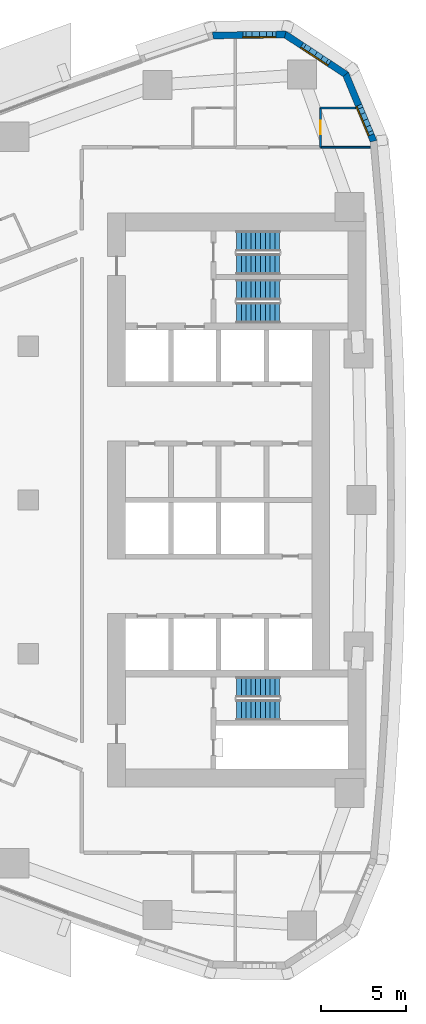
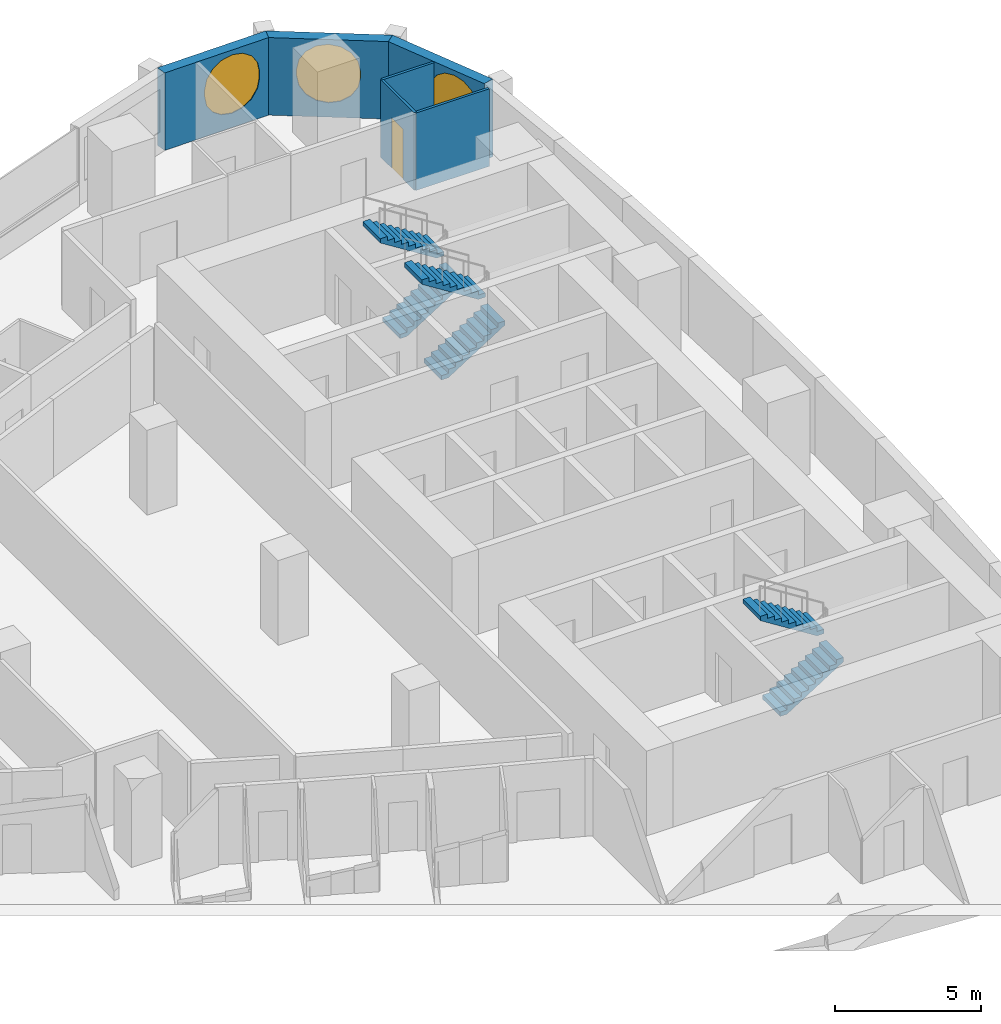
# One storey, part 13 of 17: 6 stair flights, 6 walls, 3 windows, 1 door, 4 openings, 3 elements without a shape of their own.
"""IFC4 building model written with IfcOpenShell, lengths in metres."""

from ifc_helpers import new_model, si_unit, direction, frame, frame_2d, origin, place, context, subcontext, project, spatial, polyline, rectangle, outline, extrude, material, layer, layer_set, type_object, element, fill, aggregate, save


model = new_model("IFC4")

# Units and contexts
model_context = context("Model", 3, precision=1e-05, world=origin(), true_north=direction((0.0, 1.0)))
body_context = subcontext(model_context, "Body", "Model", "MODEL_VIEW")
ifc_project = project(units=[si_unit("LENGTHUNIT", "METRE"), si_unit("AREAUNIT", "SQUARE_METRE"), si_unit("VOLUMEUNIT", "CUBIC_METRE"), si_unit("PLANEANGLEUNIT", "RADIAN"), si_unit("MASSUNIT", "GRAM", prefix="KILO")], contexts=[model_context])

# Site, building, storey
site_placement = place(None, origin())
site = spatial("IfcSite", under=ifc_project, at=site_placement, CompositionType="ELEMENT")
building_placement = place(site_placement, origin())
building = spatial("IfcBuilding", under=site, at=building_placement, Name="Ostrand Prow Hotel Tower", CompositionType="ELEMENT")
storey_placement = place(building_placement, frame((0.0, 0.0, 84.89990234375)))
storey = spatial("IfcBuildingStorey", under=building, at=storey_placement, Name="L19", CompositionType="ELEMENT", Elevation=84.89990234375)

# Wall, opening, door
ifc_material_1 = material(Name="Plasterboard partition")
ifc_layer_1 = layer(ifc_material_1, 0.10009765625)
ifc_layer_set_1 = layer_set([ifc_layer_1], Name="Plasterboard partition")
wall_type_1 = type_object("IfcWallType", Name="Partition 100 bathroom wall", PredefinedType="PARTITIONING", material=ifc_layer_set_1)
wall_1_placement = place(storey_placement, frame((62.111083984375, 20.64990234375, 0.0), z_axis=(0.0, 0.0, 1.0), x_axis=(0.0, 1.0, 0.0)))
wall_1 = element("IfcWall", 1, at=wall_1_placement, inside=storey, type_object=wall_type_1, Name="BATHROOM WALL", PredefinedType="PARTITIONING", context=body_context, shape_type="SweptSolid", body=[
    extrude(rectangle(XDim=2.300048828125, YDim=0.10009765625, at=frame_2d((1.14990234375, 0.0))), origin(), (0.0, 0.0, 1.0), 3.25),
])
opening_1_placement = place(wall_1_placement, frame((0.75, 0.0, 0.0)))
opening_1 = element("IfcOpeningElement", 2, at=opening_1_placement, cuts=wall_1, Name="Opening D2", PredefinedType="OPENING", context=body_context, shape_type="SweptSolid", body=[
    extrude(rectangle(XDim=0.800048828125, YDim=2.10009765625, at=frame_2d((0.39990234375, 1.050048828125))), frame((0.0, 0.06005859375, 0.0), z_axis=(0.0, -1.0, 0.0), x_axis=(1.0, 0.0, 0.0)), (0.0, 0.0, 1.0), 0.1201171875),
])
ifc_material_2 = material(Name="Timber door leaf", Category="wood")
door_type = type_object("IfcDoorType", Name="Bathroom door 800", OperationType="SINGLE_SWING_LEFT", PredefinedType="DOOR", material=ifc_material_2)
door_placement = place(opening_1_placement, origin())
door = element("IfcDoor", 3, at=door_placement, inside=storey, type_object=door_type, Name="DOOR", OperationType="SINGLE_SWING_LEFT", OverallHeight=2.10009765625, OverallWidth=0.800048828125, PredefinedType="DOOR", context=body_context, shape_type="SweptSolid", body=[
    extrude(rectangle(XDim=0.800048828125, YDim=2.10009765625, at=frame_2d((0.39990234375, 1.050048828125))), frame((0.0, 0.02490234375, 0.0), z_axis=(0.0, -1.0, 0.0), x_axis=(1.0, 0.0, 0.0)), (0.0, 0.0, 1.0), 0.050048828125),
])
fill(opening_1, door)

# Walls
wall_2_placement = place(storey_placement, frame((62.111083984375, 22.949951171875, 0.0), z_axis=(0.0, 0.0, 1.0), x_axis=(1.0, 0.0, 0.0)))
element("IfcWall", 4, at=wall_2_placement, inside=storey, type_object=wall_type_1, Name="BATHROOM WALL", PredefinedType="PARTITIONING", context=body_context, shape_type="SweptSolid", body=[
    extrude(rectangle(XDim=2.04931640625, YDim=0.10009765625, at=frame_2d((1.024658203125, 0.0))), origin(), (0.0, 0.0, 1.0), 3.25),
])
wall_3_placement = place(storey_placement, frame((65.016845703125, 20.655029296875, 0.0), z_axis=(0.0, 0.0, 1.0), x_axis=(-1.0, 0.0, 0.0)))
element("IfcWall", 5, at=wall_3_placement, inside=storey, type_object=wall_type_1, Name="BATHROOM WALL", PredefinedType="PARTITIONING", context=body_context, shape_type="SweptSolid", body=[
    extrude(rectangle(XDim=2.90576171875, YDim=0.10009765625, at=frame_2d((1.452880859375, 0.0))), origin(), (0.0, 0.0, 1.0), 3.25),
])

# Wall, opening, window
ifc_material_3 = material(Name="Precast concrete C40/50", Category="concrete")
ifc_layer_2 = layer(ifc_material_3, 0.39990234375)
ifc_layer_set_2 = layer_set([ifc_layer_2], Name="Precast concrete C40/50")
wall_type_2 = type_object("IfcWallType", Name="Stone-faced precast wall 400 mm", PredefinedType="NOTDEFINED", material=ifc_layer_set_2)
wall_4_placement = place(storey_placement, frame((65.21728515625, 21.001708984375, 0.0), z_axis=(0.0, 0.0, 1.0), x_axis=(-0.383997751971, 0.923334027577, 0.0)))
wall_4 = element("IfcWall", 6, at=wall_4_placement, inside=storey, type_object=wall_type_2, Name="Stone-faced wall back 15", PredefinedType="NOTDEFINED", context=body_context, shape_type="SweptSolid", body=[
    extrude(outline(polyline([(-0.031005859375, -0.199951171875), (4.300048828125, -0.199951171875), (4.177490234375, 0.199951171875), (0.031005859375, 0.199951171875), (-0.031005859375, -0.199951171875)])), origin(), (0.0, 0.0, 1.0), 3.25),
])
opening_2_placement = place(wall_4_placement, frame((0.28662109375, 0.0, 0.60009765625)))
opening_2 = element("IfcOpeningElement", 7, at=opening_2_placement, cuts=wall_4, Name="Opening WP1-21", PredefinedType="OPENING", context=body_context, shape_type="SweptSolid", body=[
    extrude(outline(polyline([(0.0, 1.39990234375), (0.079833984375, 1.8017578125), (0.3076171875, 2.142333984375), (0.648193359375, 2.3701171875), (1.050048828125, 2.449951171875), (1.451904296875, 2.3701171875), (1.79248046875, 2.142333984375), (2.020263671875, 1.8017578125), (2.10009765625, 1.39990234375), (2.10009765625, 1.050048828125), (2.020263671875, 0.648193359375), (1.79248046875, 0.3076171875), (1.451904296875, 0.079833984375), (1.050048828125, 0.0), (0.648193359375, 0.079833984375), (0.3076171875, 0.3076171875), (0.079833984375, 0.648193359375), (0.0, 1.050048828125), (0.0, 1.39990234375)])), frame((0.0, 0.2099609375, 0.0), z_axis=(0.0, -1.0, 0.0), x_axis=(1.0, 0.0, 0.0)), (0.0, 0.0, 1.0), 0.419921875),
])
ifc_material_4 = material(Name="Insulated glass in bronze frame", Category="glass")
window_type_1 = type_object("IfcWindowType", Name="Round-ended prow window 2100x2450", PartitioningType="SINGLE_PANEL", PredefinedType="WINDOW", material=ifc_material_4)
window_1_placement = place(opening_2_placement, origin())
window_1 = element("IfcWindow", 8, at=window_1_placement, inside=storey, type_object=window_type_1, Name="Window back 15.1", OverallHeight=2.449951171875, OverallWidth=2.10009765625, PartitioningType="SINGLE_PANEL", PredefinedType="WINDOW", context=body_context, shape_type="SweptSolid", body=[
    extrude(outline(polyline([(0.0, 1.39990234375), (0.079833984375, 1.8017578125), (0.3076171875, 2.142333984375), (0.648193359375, 2.3701171875), (1.050048828125, 2.449951171875), (1.451904296875, 2.3701171875), (1.79248046875, 2.142333984375), (2.020263671875, 1.8017578125), (2.10009765625, 1.39990234375), (2.10009765625, 1.050048828125), (2.020263671875, 0.648193359375), (1.79248046875, 0.3076171875), (1.451904296875, 0.079833984375), (1.050048828125, 0.0), (0.648193359375, 0.079833984375), (0.3076171875, 0.3076171875), (0.079833984375, 0.648193359375), (0.0, 1.050048828125), (0.0, 1.39990234375)])), frame((0.0, 0.169921875, 0.0), z_axis=(0.0, -1.0, 0.0), x_axis=(1.0, 0.0, 0.0)), (0.0, 0.0, 1.0), 0.06005859375),
])
fill(opening_2, window_1)

wall_5_placement = place(storey_placement, frame((63.589599609375, 24.91552734375, 0.0), z_axis=(0.0, 0.0, 1.0), x_axis=(-0.835340523653, 0.549732852887, 0.0)))
wall_5 = element("IfcWall", 9, at=wall_5_placement, inside=storey, type_object=wall_type_2, Name="Stone-faced wall back 16", PredefinedType="NOTDEFINED", context=body_context, shape_type="SweptSolid", body=[
    extrude(outline(polyline([(-0.061279296875, -0.199951171875), (4.30029296875, -0.199951171875), (4.177734375, 0.199951171875), (0.061279296875, 0.199951171875), (-0.061279296875, -0.199951171875)])), origin(), (0.0, 0.0, 1.0), 3.25),
])
opening_3_placement = place(wall_5_placement, frame((1.01953125, 0.0, 0.60009765625)))
opening_3 = element("IfcOpeningElement", 10, at=opening_3_placement, cuts=wall_5, Name="Opening WP1", PredefinedType="OPENING", context=body_context, shape_type="SweptSolid", body=[
    extrude(outline(polyline([(0.0, 1.35009765625), (0.083740234375, 1.77099609375), (0.322265625, 2.127685546875), (0.678955078125, 2.3662109375), (1.10009765625, 2.449951171875), (1.52099609375, 2.3662109375), (1.877685546875, 2.127685546875), (2.1162109375, 1.77099609375), (2.199951171875, 1.35009765625), (2.199951171875, 1.10009765625), (2.1162109375, 0.678955078125), (1.877685546875, 0.322265625), (1.52099609375, 0.083740234375), (1.10009765625, 0.0), (0.678955078125, 0.083740234375), (0.322265625, 0.322265625), (0.083740234375, 0.678955078125), (0.0, 1.099853515625), (0.0, 1.35009765625)])), frame((0.0, 0.2099609375, 0.0), z_axis=(0.0, -1.0, 0.0), x_axis=(1.0, 0.0, 0.0)), (0.0, 0.0, 1.0), 0.419921875),
])
ifc_material_5 = material(Name="Insulated glass in bronze frame", Category="glass")
window_type_2 = type_object("IfcWindowType", Name="Round-ended prow window 2200x2450", PartitioningType="SINGLE_PANEL", PredefinedType="WINDOW", material=ifc_material_5)
window_2_placement = place(opening_3_placement, origin())
window_2 = element("IfcWindow", 11, at=window_2_placement, inside=storey, type_object=window_type_2, Name="Window back 16.1", OverallHeight=2.449951171875, OverallWidth=2.199951171875, PartitioningType="SINGLE_PANEL", PredefinedType="WINDOW", context=body_context, shape_type="SweptSolid", body=[
    extrude(outline(polyline([(0.0, 1.35009765625), (0.083740234375, 1.77099609375), (0.322265625, 2.127685546875), (0.678955078125, 2.3662109375), (1.10009765625, 2.449951171875), (1.52099609375, 2.3662109375), (1.877685546875, 2.127685546875), (2.1162109375, 1.77099609375), (2.199951171875, 1.35009765625), (2.199951171875, 1.10009765625), (2.1162109375, 0.678955078125), (1.877685546875, 0.322265625), (1.52099609375, 0.083740234375), (1.10009765625, 0.0), (0.678955078125, 0.083740234375), (0.322265625, 0.322265625), (0.083740234375, 0.678955078125), (0.0, 1.099853515625), (0.0, 1.35009765625)])), frame((0.0, 0.169921875, 0.0), z_axis=(0.0, -1.0, 0.0), x_axis=(1.0, 0.0, 0.0)), (0.0, 0.0, 1.0), 0.06005859375),
])
fill(opening_3, window_2)

wall_6_placement = place(storey_placement, frame((60.048583984375, 27.245849609375, 0.0), z_axis=(0.0, 0.0, 1.0), x_axis=(-0.999919718849, -0.012671063772, 0.0)))
wall_6 = element("IfcWall", 12, at=wall_6_placement, inside=storey, type_object=wall_type_2, Name="Stone-faced wall back 17", PredefinedType="NOTDEFINED", context=body_context, shape_type="SweptSolid", body=[
    extrude(outline(polyline([(-0.061279296875, -0.199951171875), (4.269775390625, -0.199951171875), (4.207763671875, 0.199951171875), (0.061279296875, 0.199951171875), (-0.061279296875, -0.199951171875)])), origin(), (0.0, 0.0, 1.0), 3.25),
])
opening_4_placement = place(wall_6_placement, frame((0.418212890625, 0.0, 0.60009765625)))
opening_4 = element("IfcOpeningElement", 13, at=opening_4_placement, cuts=wall_6, Name="Opening WP1", PredefinedType="OPENING", context=body_context, shape_type="SweptSolid", body=[
    extrude(outline(polyline([(0.0, 1.35009765625), (0.083740234375, 1.77099609375), (0.322265625, 2.127685546875), (0.678955078125, 2.3662109375), (1.10009765625, 2.449951171875), (1.52099609375, 2.3662109375), (1.877685546875, 2.127685546875), (2.1162109375, 1.77099609375), (2.199951171875, 1.35009765625), (2.199951171875, 1.10009765625), (2.1162109375, 0.678955078125), (1.877685546875, 0.322265625), (1.52099609375, 0.083740234375), (1.10009765625, 0.0), (0.678955078125, 0.083740234375), (0.322265625, 0.322265625), (0.083740234375, 0.678955078125), (0.0, 1.099853515625), (0.0, 1.35009765625)])), frame((0.0, 0.2099609375, 0.0), z_axis=(0.0, -1.0, 0.0), x_axis=(1.0, 0.0, 0.0)), (0.0, 0.0, 1.0), 0.419921875),
])
window_3_placement = place(opening_4_placement, origin())
window_3 = element("IfcWindow", 14, at=window_3_placement, inside=storey, type_object=window_type_2, Name="Window back 17.1", OverallHeight=2.449951171875, OverallWidth=2.199951171875, PartitioningType="SINGLE_PANEL", PredefinedType="WINDOW", context=body_context, shape_type="SweptSolid", body=[
    extrude(outline(polyline([(0.0, 1.35009765625), (0.083740234375, 1.77099609375), (0.322265625, 2.127685546875), (0.678955078125, 2.3662109375), (1.10009765625, 2.449951171875), (1.52099609375, 2.3662109375), (1.877685546875, 2.127685546875), (2.1162109375, 1.77099609375), (2.199951171875, 1.35009765625), (2.199951171875, 1.10009765625), (2.1162109375, 0.678955078125), (1.877685546875, 0.322265625), (1.52099609375, 0.083740234375), (1.10009765625, 0.0), (0.678955078125, 0.083740234375), (0.322265625, 0.322265625), (0.083740234375, 0.678955078125), (0.0, 1.099853515625), (0.0, 1.35009765625)])), frame((0.0, 0.169921875, 0.0), z_axis=(0.0, -1.0, 0.0), x_axis=(1.0, 0.0, 0.0)), (0.0, 0.0, 1.0), 0.06005859375),
])
fill(opening_4, window_3)

# Stair, stair flights
ifc_material_6 = material(Name="Concrete C40/50", Category="concrete")
stair_type = type_object("IfcStairType", Name="Exit stair 1200 upper zone", PredefinedType="HALF_TURN_STAIR", material=ifc_material_6)
stair_1_placement = place(storey_placement, origin())
stair_1 = element("IfcStair", 15, at=stair_1_placement, inside=storey, type_object=stair_type, Name="L19 ST1C", PredefinedType="HALF_TURN_STAIR")
ifc_material_7 = material(Name="Concrete C40/50", Category="concrete")
stair_flight_type = type_object("IfcStairFlightType", Name="Stair flight 1200 concrete", PredefinedType="STRAIGHT", material=ifc_material_7)
stair_flight_1_placement = place(storey_placement, frame((57.199951171875, 10.949951171875, 0.0), z_axis=(0.0, 0.0, 1.0), x_axis=(1.0, 0.0, 0.0)))
stair_flight_1 = element("IfcStairFlight", 16, at=stair_flight_1_placement, type_object=stair_flight_type, Name="ST1C flight 1", NumberOfRisers=10, NumberOfTreads=9, PredefinedType="STRAIGHT", RiserHeight=0.1775, TreadLength=0.28, context=body_context, shape_type="SweptSolid", body=[
    extrude(outline(polyline([(0.0, 0.0), (0.0, 0.177490234375), (0.280029296875, 0.177490234375), (0.280029296875, 0.35498046875), (0.56005859375, 0.35498046875), (0.56005859375, 0.532470703125), (0.840087890625, 0.532470703125), (0.840087890625, 0.7099609375), (1.1201171875, 0.7099609375), (1.1201171875, 0.887451171875), (1.39990234375, 0.887451171875), (1.39990234375, 1.06494140625), (1.679931640625, 1.06494140625), (1.679931640625, 1.242431640625), (1.9599609375, 1.242431640625), (1.9599609375, 1.419921875), (2.239990234375, 1.419921875), (2.239990234375, 1.597412109375), (2.52001953125, 1.597412109375), (2.52001953125, 1.77490234375), (2.52001953125, 1.419921875), (0.280029296875, 0.0), (0.0, 0.0)])), frame((0.0, 0.60009765625, 0.0), z_axis=(0.0, -1.0, 0.0), x_axis=(1.0, 0.0, 0.0)), (0.0, 0.0, 1.0), 1.199951171875),
])
stair_flight_2_placement = place(storey_placement, frame((59.719970703125, 12.300048828125, 1.775146484375), z_axis=(0.0, 0.0, 1.0), x_axis=(-1.0, 0.0, 0.0)))
stair_flight_2 = element("IfcStairFlight", 17, at=stair_flight_2_placement, type_object=stair_flight_type, Name="ST1C flight 2", NumberOfRisers=10, NumberOfTreads=9, PredefinedType="STRAIGHT", RiserHeight=0.1775, TreadLength=0.28, context=body_context, shape_type="SweptSolid", body=[
    extrude(outline(polyline([(0.0, 0.0), (0.0, 0.177490234375), (0.280029296875, 0.177490234375), (0.280029296875, 0.35498046875), (0.56005859375, 0.35498046875), (0.56005859375, 0.532470703125), (0.840087890625, 0.532470703125), (0.840087890625, 0.7099609375), (1.1201171875, 0.7099609375), (1.1201171875, 0.887451171875), (1.39990234375, 0.887451171875), (1.39990234375, 1.06494140625), (1.679931640625, 1.06494140625), (1.679931640625, 1.242431640625), (1.9599609375, 1.242431640625), (1.9599609375, 1.419921875), (2.239990234375, 1.419921875), (2.239990234375, 1.597412109375), (2.52001953125, 1.597412109375), (2.52001953125, 1.77490234375), (2.52001953125, 1.419921875), (0.280029296875, 0.0), (0.0, 0.0)])), frame((0.0, 0.60009765625, 0.0), z_axis=(0.0, -1.0, 0.0), x_axis=(1.0, 0.0, 0.0)), (0.0, 0.0, 1.0), 1.199951171875),
])
aggregate(stair_1, [stair_flight_1, stair_flight_2])

stair_2_placement = place(storey_placement, origin())
stair_2 = element("IfcStair", 18, at=stair_2_placement, inside=storey, type_object=stair_type, Name="L19 ST3C", PredefinedType="HALF_TURN_STAIR")
stair_flight_3_placement = place(storey_placement, frame((57.199951171875, 13.800048828125, 0.0), z_axis=(0.0, 0.0, 1.0), x_axis=(1.0, 0.0, 0.0)))
stair_flight_3 = element("IfcStairFlight", 19, at=stair_flight_3_placement, type_object=stair_flight_type, Name="ST3C flight 1", NumberOfRisers=10, NumberOfTreads=9, PredefinedType="STRAIGHT", RiserHeight=0.1775, TreadLength=0.28, context=body_context, shape_type="SweptSolid", body=[
    extrude(outline(polyline([(0.0, 0.0), (0.0, 0.177490234375), (0.280029296875, 0.177490234375), (0.280029296875, 0.35498046875), (0.56005859375, 0.35498046875), (0.56005859375, 0.532470703125), (0.840087890625, 0.532470703125), (0.840087890625, 0.7099609375), (1.1201171875, 0.7099609375), (1.1201171875, 0.887451171875), (1.39990234375, 0.887451171875), (1.39990234375, 1.06494140625), (1.679931640625, 1.06494140625), (1.679931640625, 1.242431640625), (1.9599609375, 1.242431640625), (1.9599609375, 1.419921875), (2.239990234375, 1.419921875), (2.239990234375, 1.597412109375), (2.52001953125, 1.597412109375), (2.52001953125, 1.77490234375), (2.52001953125, 1.419921875), (0.280029296875, 0.0), (0.0, 0.0)])), frame((0.0, 0.60009765625, 0.0), z_axis=(0.0, -1.0, 0.0), x_axis=(1.0, 0.0, 0.0)), (0.0, 0.0, 1.0), 1.199951171875),
])
stair_flight_4_placement = place(storey_placement, frame((59.719970703125, 15.14990234375, 1.775146484375), z_axis=(0.0, 0.0, 1.0), x_axis=(-1.0, 0.0, 0.0)))
stair_flight_4 = element("IfcStairFlight", 20, at=stair_flight_4_placement, type_object=stair_flight_type, Name="ST3C flight 2", NumberOfRisers=10, NumberOfTreads=9, PredefinedType="STRAIGHT", RiserHeight=0.1775, TreadLength=0.28, context=body_context, shape_type="SweptSolid", body=[
    extrude(outline(polyline([(0.0, 0.0), (0.0, 0.177490234375), (0.280029296875, 0.177490234375), (0.280029296875, 0.35498046875), (0.56005859375, 0.35498046875), (0.56005859375, 0.532470703125), (0.840087890625, 0.532470703125), (0.840087890625, 0.7099609375), (1.1201171875, 0.7099609375), (1.1201171875, 0.887451171875), (1.39990234375, 0.887451171875), (1.39990234375, 1.06494140625), (1.679931640625, 1.06494140625), (1.679931640625, 1.242431640625), (1.9599609375, 1.242431640625), (1.9599609375, 1.419921875), (2.239990234375, 1.419921875), (2.239990234375, 1.597412109375), (2.52001953125, 1.597412109375), (2.52001953125, 1.77490234375), (2.52001953125, 1.419921875), (0.280029296875, 0.0), (0.0, 0.0)])), frame((0.0, 0.60009765625, 0.0), z_axis=(0.0, -1.0, 0.0), x_axis=(1.0, 0.0, 0.0)), (0.0, 0.0, 1.0), 1.199951171875),
])
aggregate(stair_2, [stair_flight_3, stair_flight_4])

stair_3_placement = place(storey_placement, origin())
stair_3 = element("IfcStair", 21, at=stair_3_placement, inside=storey, type_object=stair_type, Name="L19 ST2C", PredefinedType="HALF_TURN_STAIR")
stair_flight_5_placement = place(storey_placement, frame((57.199951171875, -12.300048828125, 0.0), z_axis=(0.0, 0.0, 1.0), x_axis=(1.0, 0.0, 0.0)))
stair_flight_5 = element("IfcStairFlight", 22, at=stair_flight_5_placement, type_object=stair_flight_type, Name="ST2C flight 1", NumberOfRisers=10, NumberOfTreads=9, PredefinedType="STRAIGHT", RiserHeight=0.1775, TreadLength=0.28, context=body_context, shape_type="SweptSolid", body=[
    extrude(outline(polyline([(0.0, 0.0), (0.0, 0.177490234375), (0.280029296875, 0.177490234375), (0.280029296875, 0.35498046875), (0.56005859375, 0.35498046875), (0.56005859375, 0.532470703125), (0.840087890625, 0.532470703125), (0.840087890625, 0.7099609375), (1.1201171875, 0.7099609375), (1.1201171875, 0.887451171875), (1.39990234375, 0.887451171875), (1.39990234375, 1.06494140625), (1.679931640625, 1.06494140625), (1.679931640625, 1.242431640625), (1.9599609375, 1.242431640625), (1.9599609375, 1.419921875), (2.239990234375, 1.419921875), (2.239990234375, 1.597412109375), (2.52001953125, 1.597412109375), (2.52001953125, 1.77490234375), (2.52001953125, 1.419921875), (0.280029296875, 0.0), (0.0, 0.0)])), frame((0.0, 0.60009765625, 0.0), z_axis=(0.0, -1.0, 0.0), x_axis=(1.0, 0.0, 0.0)), (0.0, 0.0, 1.0), 1.199951171875),
])
stair_flight_6_placement = place(storey_placement, frame((59.719970703125, -10.949951171875, 1.775146484375), z_axis=(0.0, 0.0, 1.0), x_axis=(-1.0, 0.0, 0.0)))
stair_flight_6 = element("IfcStairFlight", 23, at=stair_flight_6_placement, type_object=stair_flight_type, Name="ST2C flight 2", NumberOfRisers=10, NumberOfTreads=9, PredefinedType="STRAIGHT", RiserHeight=0.1775, TreadLength=0.28, context=body_context, shape_type="SweptSolid", body=[
    extrude(outline(polyline([(0.0, 0.0), (0.0, 0.177490234375), (0.280029296875, 0.177490234375), (0.280029296875, 0.35498046875), (0.56005859375, 0.35498046875), (0.56005859375, 0.532470703125), (0.840087890625, 0.532470703125), (0.840087890625, 0.7099609375), (1.1201171875, 0.7099609375), (1.1201171875, 0.887451171875), (1.39990234375, 0.887451171875), (1.39990234375, 1.06494140625), (1.679931640625, 1.06494140625), (1.679931640625, 1.242431640625), (1.9599609375, 1.242431640625), (1.9599609375, 1.419921875), (2.239990234375, 1.419921875), (2.239990234375, 1.597412109375), (2.52001953125, 1.597412109375), (2.52001953125, 1.77490234375), (2.52001953125, 1.419921875), (0.280029296875, 0.0), (0.0, 0.0)])), frame((0.0, 0.60009765625, 0.0), z_axis=(0.0, -1.0, 0.0), x_axis=(1.0, 0.0, 0.0)), (0.0, 0.0, 1.0), 1.199951171875),
])
aggregate(stair_3, [stair_flight_5, stair_flight_6])

save(model, "model.ifc")
